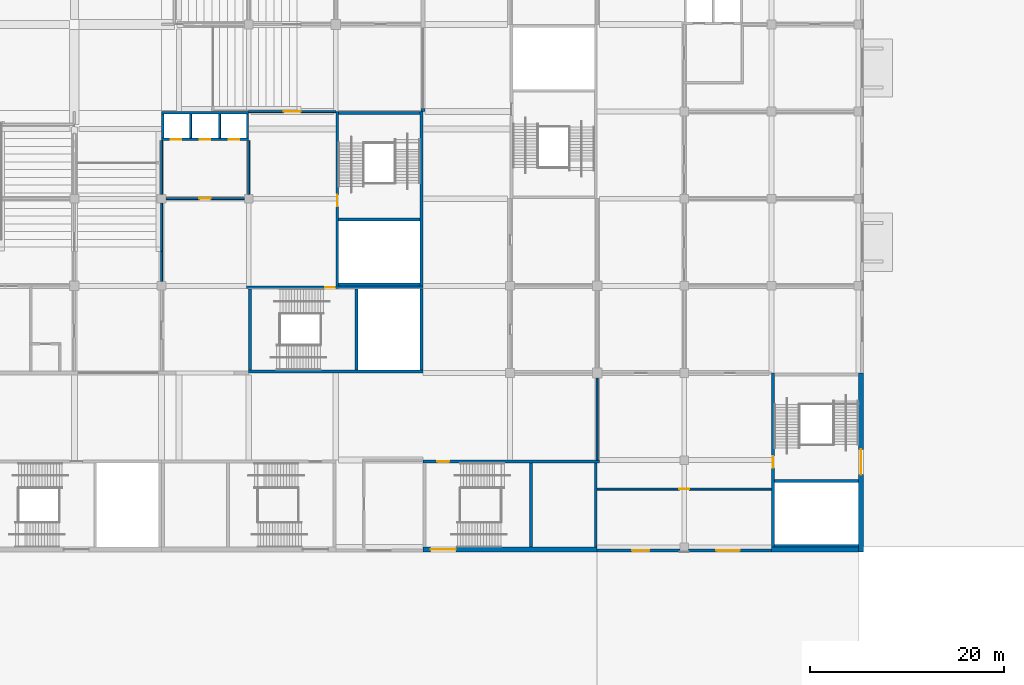
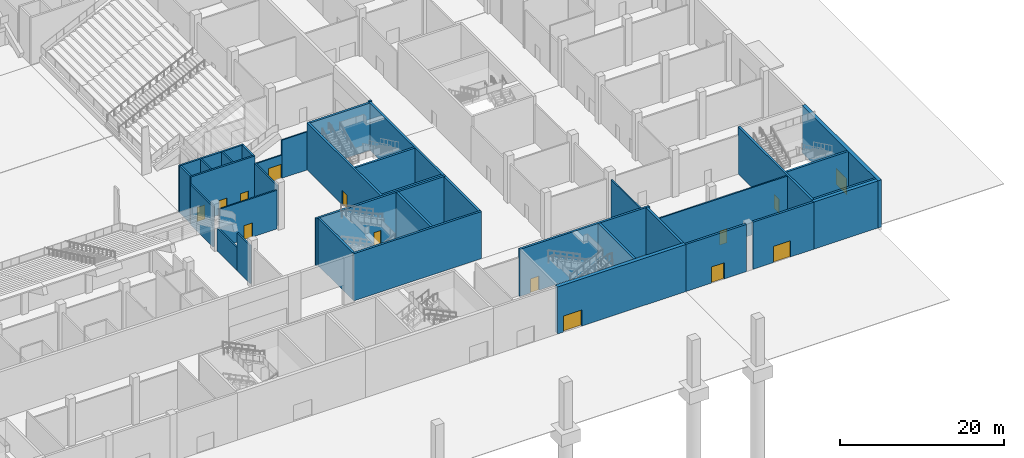
# One storey, part 33 of 92: 37 walls, 14 doors, 14 openings.
"""IFC4 building model written with IfcOpenShell, lengths in metres."""

from ifc_helpers import new_model, si_unit, direction, frame, frame_2d, origin, place, context, subcontext, project, spatial, rectangle, extrude, material, layer, layer_set, type_object, element, fill, save


model = new_model("IFC4")

# Units and contexts
model_context = context("Model", 3, precision=1e-05, world=origin(), true_north=direction((0.0, 1.0)))
body_context = subcontext(model_context, "Body", "Model", "MODEL_VIEW")
ifc_project = project(units=[si_unit("LENGTHUNIT", "METRE"), si_unit("AREAUNIT", "SQUARE_METRE"), si_unit("VOLUMEUNIT", "CUBIC_METRE"), si_unit("PLANEANGLEUNIT", "RADIAN"), si_unit("MASSUNIT", "GRAM", prefix="KILO")], contexts=[model_context])

# Site, building, storey
site_placement = place(None, origin())
site = spatial("IfcSite", under=ifc_project, at=site_placement, CompositionType="ELEMENT")
building_placement = place(site_placement, origin())
building = spatial("IfcBuilding", under=site, at=building_placement, Name="Silverbay Arena", CompositionType="ELEMENT")
storey_placement = place(building_placement, origin())
storey = spatial("IfcBuildingStorey", under=building, at=storey_placement, Name="L00", CompositionType="ELEMENT", Elevation=0.0)

# Wall, opening, door
ifc_material_1 = material(Name="Concrete Grade C45 precast, board-marked finish", Category="concrete")
ifc_layer_1 = layer(ifc_material_1, 0.300048828125)
ifc_layer_set_1 = layer_set([ifc_layer_1], Name="Concrete Grade C45 precast, board-marked finish")
wall_type_1 = type_object("IfcWallType", Name="Board-marked precast wall 300", PredefinedType="SOLIDWALL", material=ifc_layer_set_1)
wall_1_placement = place(storey_placement, frame((207.0, 17.64990234375, 0.0), z_axis=(0.0, 0.0, 1.0), x_axis=(1.0, 0.0, 0.0)))
wall_1 = element("IfcWall", 1, at=wall_1_placement, inside=storey, type_object=wall_type_1, Name="South external wall L00 bay 21", PredefinedType="SOLIDWALL", context=body_context, shape_type="SweptSolid", body=[
    extrude(rectangle(XDim=8.550048828125, YDim=0.300048828125, at=frame_2d((4.27490234375, 0.0))), origin(), (0.0, 0.0, 1.0), 7.0),
])
opening_1_placement = place(wall_1_placement, frame((3.60009765625, 0.0, 0.0)))
opening_1 = element("IfcOpeningElement", 2, at=opening_1_placement, cuts=wall_1, Name="Opening L00-117", PredefinedType="OPENING", context=body_context, shape_type="SweptSolid", body=[
    extrude(rectangle(XDim=1.800048828125, YDim=2.39990234375, at=frame_2d((0.89990234375, 1.199951171875))), frame((0.0, 0.16015625, 0.0), z_axis=(0.0, -1.0, 0.0), x_axis=(1.0, 0.0, 0.0)), (0.0, 0.0, 1.0), 0.320068359375),
])
ifc_material_2 = material(Name="Steel", Category="steel")
door_type_1 = type_object("IfcDoorType", Name="Service exit door 1800 x 2400", OperationType="DOUBLE_DOOR_SINGLE_SWING", PredefinedType="DOOR", material=ifc_material_2)
door_1_placement = place(opening_1_placement, frame((1.800048828125, 0.0, 0.0), z_axis=(0.0, 0.0, 1.0), x_axis=(-1.0, 0.0, 0.0)))
door_1 = element("IfcDoor", 3, at=door_1_placement, inside=storey, type_object=door_type_1, Name="Final exit F1", OperationType="DOUBLE_DOOR_SINGLE_SWING", OverallHeight=2.39990234375, OverallWidth=1.800048828125, PredefinedType="DOOR", context=body_context, shape_type="SweptSolid", body=[
    extrude(rectangle(XDim=1.800048828125, YDim=2.39990234375, at=frame_2d((0.89990234375, 1.199951171875))), frame((0.0, 0.02490234375, 0.0), z_axis=(0.0, -1.0, 0.0), x_axis=(1.0, 0.0, 0.0)), (0.0, 0.0, 1.0), 0.050048828125),
])
fill(opening_1, door_1)

wall_2_placement = place(storey_placement, frame((216.449951171875, 17.64990234375, 0.0), z_axis=(0.0, 0.0, 1.0), x_axis=(1.0, 0.0, 0.0)))
wall_2 = element("IfcWall", 4, at=wall_2_placement, inside=storey, type_object=wall_type_1, Name="South external wall L00 bay 22", PredefinedType="SOLIDWALL", context=body_context, shape_type="SweptSolid", body=[
    extrude(rectangle(XDim=8.550048828125, YDim=0.300048828125, at=frame_2d((4.27490234375, 0.0))), origin(), (0.0, 0.0, 1.0), 7.0),
])
opening_2_placement = place(wall_2_placement, frame((2.85009765625, 0.0, 0.0)))
opening_2 = element("IfcOpeningElement", 5, at=opening_2_placement, cuts=wall_2, Name="Opening L00-118", PredefinedType="OPENING", context=body_context, shape_type="SweptSolid", body=[
    extrude(rectangle(XDim=2.39990234375, YDim=2.39990234375, at=frame_2d((1.199951171875, 1.199951171875))), frame((0.0, 0.16015625, 0.0), z_axis=(0.0, -1.0, 0.0), x_axis=(1.0, 0.0, 0.0)), (0.0, 0.0, 1.0), 0.320068359375),
])
ifc_material_3 = material(Name="Steel", Category="steel")
door_type_2 = type_object("IfcDoorType", Name="Exit gate door 2400 x 2400", OperationType="DOUBLE_DOOR_SINGLE_SWING", PredefinedType="DOOR", material=ifc_material_3)
door_2_placement = place(opening_2_placement, frame((2.39990234375, 0.0, 0.0), z_axis=(0.0, 0.0, 1.0), x_axis=(-1.0, 0.0, 0.0)))
door_2 = element("IfcDoor", 6, at=door_2_placement, inside=storey, type_object=door_type_2, Name="Pedestrian exit gate G8", OperationType="DOUBLE_DOOR_SINGLE_SWING", OverallHeight=2.39990234375, OverallWidth=2.39990234375, PredefinedType="DOOR", context=body_context, shape_type="SweptSolid", body=[
    extrude(rectangle(XDim=2.39990234375, YDim=2.39990234375, at=frame_2d((1.199951171875, 1.199951171875))), frame((0.0, 0.02490234375, 0.0), z_axis=(0.0, -1.0, 0.0), x_axis=(1.0, 0.0, 0.0)), (0.0, 0.0, 1.0), 0.050048828125),
])
fill(opening_2, door_2)

ifc_material_4 = material(Name="Concrete Grade C45", Category="concrete")
ifc_layer_2 = layer(ifc_material_4, 0.300048828125)
ifc_layer_set_2 = layer_set([ifc_layer_2], Name="Concrete Grade C45")
wall_type_2 = type_object("IfcWallType", Name="Core wall RC 300 EI 120", PredefinedType="SHEAR", material=ifc_layer_set_2)
wall_3_placement = place(storey_placement, frame((189.0, 26.85009765625, 0.0), z_axis=(0.0, 0.0, 1.0), x_axis=(1.0, 0.0, 0.0)))
wall_3 = element("IfcWall", 7, at=wall_3_placement, inside=storey, type_object=wall_type_2, Name="Core wall ST-S6 L00 door side", PredefinedType="SHEAR", context=body_context, shape_type="SweptSolid", body=[
    extrude(rectangle(XDim=18.25, YDim=0.300048828125, at=frame_2d((9.125, 0.0))), origin(), (0.0, 0.0, 1.0), 7.0),
])
opening_3_placement = place(wall_3_placement, frame((1.5, 0.0, 0.0)))
opening_3 = element("IfcOpeningElement", 8, at=opening_3_placement, cuts=wall_3, Name="Opening L00-176", PredefinedType="OPENING", context=body_context, shape_type="SweptSolid", body=[
    extrude(rectangle(XDim=1.199951171875, YDim=2.10009765625, at=frame_2d((0.60009765625, 1.050048828125))), frame((0.0, 0.16015625, 0.0), z_axis=(0.0, -1.0, 0.0), x_axis=(1.0, 0.0, 0.0)), (0.0, 0.0, 1.0), 0.320068359375),
])
ifc_material_5 = material(Name="Steel fire door", Category="steel")
door_type_3 = type_object("IfcDoorType", Name="Stair door 1200 x 2100 fire door", OperationType="SINGLE_SWING_LEFT", PredefinedType="DOOR", material=ifc_material_5)
door_3_placement = place(opening_3_placement, frame((1.199951171875, 0.0, 0.0), z_axis=(0.0, 0.0, 1.0), x_axis=(-1.0, 0.0, 0.0)))
door_3 = element("IfcDoor", 9, at=door_3_placement, inside=storey, type_object=door_type_3, Name="Stair door ST-S6 L00", OperationType="SINGLE_SWING_RIGHT", OverallHeight=2.10009765625, OverallWidth=1.199951171875, PredefinedType="DOOR", context=body_context, shape_type="SweptSolid", body=[
    extrude(rectangle(XDim=1.199951171875, YDim=2.10009765625, at=frame_2d((0.60009765625, 1.050048828125))), frame((0.0, 0.02490234375, 0.0), z_axis=(0.0, -1.0, 0.0), x_axis=(1.0, 0.0, 0.0)), (0.0, 0.0, 1.0), 0.050048828125),
])
fill(opening_3, door_3)

# Walls
for number, where, z_axis, x_axis, name in (
    (10, (206.85009765625, 26.699951171875, 0.0), (0.0, 0.0, 1.0), (0.0, -1.0, 0.0), "Core wall ST-S6 L00 end 2"),
    (11, (200.14990234375, 26.699951171875, 0.0), (0.0, 0.0, 1.0), (0.0, -1.0, 0.0), "Core wall ST-S6 L00 stair enclosure"),
):
    element("IfcWall", number, at=place(storey_placement, frame(where, z_axis=z_axis, x_axis=x_axis)), inside=storey, type_object=wall_type_2, Name=name, PredefinedType="SHEAR", context=body_context, shape_type="SweptSolid", body=[
        extrude(rectangle(XDim=8.699951171875, YDim=0.300048828125, at=frame_2d((4.35009765625, 0.0))), origin(), (0.0, 0.0, 1.0), 7.0),
    ])

# Wall, opening, door
wall_4_placement = place(storey_placement, frame((170.75, 44.85009765625, 0.0), z_axis=(0.0, 0.0, 1.0), x_axis=(1.0, 0.0, 0.0)))
wall_4 = element("IfcWall", 12, at=wall_4_placement, inside=storey, type_object=wall_type_2, Name="Core wall ST-SE1 L00 door side", PredefinedType="SHEAR", context=body_context, shape_type="SweptSolid", body=[
    extrude(rectangle(XDim=18.25, YDim=0.300048828125, at=frame_2d((9.125, 0.0))), origin(), (0.0, 0.0, 1.0), 7.0),
])
opening_4_placement = place(wall_4_placement, frame((8.14990234375, 0.0, 0.0)))
opening_4 = element("IfcOpeningElement", 13, at=opening_4_placement, cuts=wall_4, Name="Opening L00-188", PredefinedType="OPENING", context=body_context, shape_type="SweptSolid", body=[
    extrude(rectangle(XDim=1.0, YDim=2.10009765625, at=frame_2d((0.5, 1.050048828125))), frame((0.0, 0.16015625, 0.0), z_axis=(0.0, -1.0, 0.0), x_axis=(1.0, 0.0, 0.0)), (0.0, 0.0, 1.0), 0.320068359375),
])
ifc_material_6 = material(Name="Steel fire door", Category="steel")
door_type_4 = type_object("IfcDoorType", Name="Stair door 1000 x 2100 fire door", OperationType="SINGLE_SWING_LEFT", PredefinedType="DOOR", material=ifc_material_6)
door_4_placement = place(opening_4_placement, frame((1.0, 0.0, 0.0), z_axis=(0.0, 0.0, 1.0), x_axis=(-1.0, 0.0, 0.0)))
door_4 = element("IfcDoor", 14, at=door_4_placement, inside=storey, type_object=door_type_4, Name="Stair door ST-SE1 L00", OperationType="SINGLE_SWING_RIGHT", OverallHeight=2.10009765625, OverallWidth=1.0, PredefinedType="DOOR", context=body_context, shape_type="SweptSolid", body=[
    extrude(rectangle(XDim=1.0, YDim=2.10009765625, at=frame_2d((0.5, 1.050048828125))), frame((0.0, 0.02490234375, 0.0), z_axis=(0.0, -1.0, 0.0), x_axis=(1.0, 0.0, 0.0)), (0.0, 0.0, 1.0), 0.050048828125),
])
fill(opening_4, door_4)

# Walls
wall_5_placement = place(storey_placement, frame((171.0, 36.14990234375, 0.0), z_axis=(0.0, 0.0, 1.0), x_axis=(1.0, 0.0, 0.0)))
element("IfcWall", 15, at=wall_5_placement, inside=storey, type_object=wall_type_2, Name="Core wall ST-SE1 L00 far side", PredefinedType="SHEAR", context=body_context, shape_type="SweptSolid", body=[
    extrude(rectangle(XDim=18.0, YDim=0.300048828125, at=frame_2d((9.0, 0.0))), origin(), (0.0, 0.0, 1.0), 7.0),
])
for number, where, z_axis, x_axis, name in (
    (16, (171.14990234375, 44.699951171875, 0.0), (0.0, 0.0, 1.0), (0.0, -1.0, 0.0), "Core wall ST-SE1 L00 end 1"),
    (17, (188.85009765625, 44.699951171875, 0.0), (0.0, 0.0, 1.0), (0.0, -1.0, 0.0), "Core wall ST-SE1 L00 end 2"),
    (18, (182.14990234375, 44.699951171875, 0.0), (0.0, 0.0, 1.0), (0.0, -1.0, 0.0), "Core wall ST-SE1 L00 stair enclosure"),
):
    element("IfcWall", number, at=place(storey_placement, frame(where, z_axis=z_axis, x_axis=x_axis)), inside=storey, type_object=wall_type_2, Name=name, PredefinedType="SHEAR", context=body_context, shape_type="SweptSolid", body=[
        extrude(rectangle(XDim=8.39990234375, YDim=0.300048828125, at=frame_2d((4.199951171875, 0.0))), origin(), (0.0, 0.0, 1.0), 7.0),
    ])

# Wall, opening, door
wall_6_placement = place(storey_placement, frame((180.14990234375, 63.0, 0.0), z_axis=(0.0, 0.0, 1.0), x_axis=(0.0, -1.0, 0.0)))
wall_6 = element("IfcWall", 19, at=wall_6_placement, inside=storey, type_object=wall_type_2, Name="Core wall ST-SE2 L00 door side", PredefinedType="SHEAR", context=body_context, shape_type="SweptSolid", body=[
    extrude(rectangle(XDim=18.0, YDim=0.300048828125, at=frame_2d((9.0, 0.0))), origin(), (0.0, 0.0, 1.0), 7.0),
])
opening_5_placement = place(wall_6_placement, frame((8.60009765625, 0.0, 0.0)))
opening_5 = element("IfcOpeningElement", 20, at=opening_5_placement, cuts=wall_6, Name="Opening L00-189", PredefinedType="OPENING", context=body_context, shape_type="SweptSolid", body=[
    extrude(rectangle(XDim=1.199951171875, YDim=2.10009765625, at=frame_2d((0.60009765625, 1.050048828125))), frame((0.0, 0.16015625, 0.0), z_axis=(0.0, -1.0, 0.0), x_axis=(1.0, 0.0, 0.0)), (0.0, 0.0, 1.0), 0.320068359375),
])
door_5_placement = place(opening_5_placement, origin())
door_5 = element("IfcDoor", 21, at=door_5_placement, inside=storey, type_object=door_type_3, Name="Stair door ST-SE2 L00", OperationType="SINGLE_SWING_RIGHT", OverallHeight=2.10009765625, OverallWidth=1.199951171875, PredefinedType="DOOR", context=body_context, shape_type="SweptSolid", body=[
    extrude(rectangle(XDim=1.199951171875, YDim=2.10009765625, at=frame_2d((0.60009765625, 1.050048828125))), frame((0.0, 0.02490234375, 0.0), z_axis=(0.0, -1.0, 0.0), x_axis=(1.0, 0.0, 0.0)), (0.0, 0.0, 1.0), 0.050048828125),
])
fill(opening_5, door_5)

# Walls
wall_7_placement = place(storey_placement, frame((188.85009765625, 63.0, 0.0), z_axis=(0.0, 0.0, 1.0), x_axis=(0.0, -1.0, 0.0)))
element("IfcWall", 22, at=wall_7_placement, inside=storey, type_object=wall_type_2, Name="Core wall ST-SE2 L00 far side", PredefinedType="SHEAR", context=body_context, shape_type="SweptSolid", body=[
    extrude(rectangle(XDim=18.0, YDim=0.300048828125, at=frame_2d((9.0, 0.0))), origin(), (0.0, 0.0, 1.0), 7.0),
])
for number, where, z_axis, x_axis, name in (
    (23, (180.300048828125, 62.85009765625, 0.0), (0.0, 0.0, 1.0), (1.0, 0.0, 0.0), "Core wall ST-SE2 L00 end 1"),
    (24, (180.300048828125, 45.14990234375, 0.0), (0.0, 0.0, 1.0), (1.0, 0.0, 0.0), "Core wall ST-SE2 L00 end 2"),
    (25, (180.300048828125, 51.85009765625, 0.0), (0.0, 0.0, 1.0), (1.0, 0.0, 0.0), "Core wall ST-SE2 L00 stair enclosure"),
):
    element("IfcWall", number, at=place(storey_placement, frame(where, z_axis=z_axis, x_axis=x_axis)), inside=storey, type_object=wall_type_2, Name=name, PredefinedType="SHEAR", context=body_context, shape_type="SweptSolid", body=[
        extrude(rectangle(XDim=8.39990234375, YDim=0.300048828125, at=frame_2d((4.199951171875, 0.0))), origin(), (0.0, 0.0, 1.0), 7.0),
    ])

# Wall, opening, door
wall_8_placement = place(storey_placement, frame((225.14990234375, 36.0, 0.0), z_axis=(0.0, 0.0, 1.0), x_axis=(0.0, -1.0, 0.0)))
wall_8 = element("IfcWall", 26, at=wall_8_placement, inside=storey, type_object=wall_type_2, Name="Core wall ST-EG1 L00 door side", PredefinedType="SHEAR", context=body_context, shape_type="SweptSolid", body=[
    extrude(rectangle(XDim=18.0, YDim=0.300048828125, at=frame_2d((9.0, 0.0))), origin(), (0.0, 0.0, 1.0), 7.0),
])
opening_6_placement = place(wall_8_placement, frame((8.60009765625, 0.0, 0.0)))
opening_6 = element("IfcOpeningElement", 27, at=opening_6_placement, cuts=wall_8, Name="Opening L00-198", PredefinedType="OPENING", context=body_context, shape_type="SweptSolid", body=[
    extrude(rectangle(XDim=1.199951171875, YDim=2.10009765625, at=frame_2d((0.60009765625, 1.050048828125))), frame((0.0, 0.16015625, 0.0), z_axis=(0.0, -1.0, 0.0), x_axis=(1.0, 0.0, 0.0)), (0.0, 0.0, 1.0), 0.320068359375),
])
door_6_placement = place(opening_6_placement, origin())
door_6 = element("IfcDoor", 28, at=door_6_placement, inside=storey, type_object=door_type_3, Name="Stair door ST-EG1 L00", OperationType="SINGLE_SWING_RIGHT", OverallHeight=2.10009765625, OverallWidth=1.199951171875, PredefinedType="DOOR", context=body_context, shape_type="SweptSolid", body=[
    extrude(rectangle(XDim=1.199951171875, YDim=2.10009765625, at=frame_2d((0.60009765625, 1.050048828125))), frame((0.0, 0.02490234375, 0.0), z_axis=(0.0, -1.0, 0.0), x_axis=(1.0, 0.0, 0.0)), (0.0, 0.0, 1.0), 0.050048828125),
])
fill(opening_6, door_6)

# Walls
for number, where, z_axis, x_axis, name in (
    (29, (225.300048828125, 18.14990234375, 0.0), (0.0, 0.0, 1.0), (1.0, 0.0, 0.0), "Core wall ST-EG1 L00 end 2"),
    (30, (225.300048828125, 24.85009765625, 0.0), (0.0, 0.0, 1.0), (1.0, 0.0, 0.0), "Core wall ST-EG1 L00 stair enclosure"),
):
    element("IfcWall", number, at=place(storey_placement, frame(where, z_axis=z_axis, x_axis=x_axis)), inside=storey, type_object=wall_type_2, Name=name, PredefinedType="SHEAR", context=body_context, shape_type="SweptSolid", body=[
        extrude(rectangle(XDim=8.699951171875, YDim=0.300048828125, at=frame_2d((4.35009765625, 0.0))), origin(), (0.0, 0.0, 1.0), 7.0),
    ])

# Wall, opening, door
ifc_material_7 = material(Name="Concrete Grade C45", Category="concrete")
ifc_layer_3 = layer(ifc_material_7, 0.5)
ifc_layer_set_3 = layer_set([ifc_layer_3], Name="Concrete Grade C45")
wall_type_3 = type_object("IfcWallType", Name="Core wall RC 500 external EI 120", PredefinedType="SHEAR", material=ifc_layer_set_3)
wall_9_placement = place(storey_placement, frame((189.0, 17.75, 0.0), z_axis=(0.0, 0.0, 1.0), x_axis=(1.0, 0.0, 0.0)))
wall_9 = element("IfcWall", 31, at=wall_9_placement, inside=storey, type_object=wall_type_3, Name="Core wall ST-S6 L00 facade side", PredefinedType="SHEAR", context=body_context, shape_type="SweptSolid", body=[
    extrude(rectangle(XDim=18.0, YDim=0.5, at=frame_2d((9.0, 0.0))), origin(), (0.0, 0.0, 1.0), 7.0),
])
opening_7_placement = place(wall_9_placement, frame((0.800048828125, 0.0, 0.0)))
opening_7 = element("IfcOpeningElement", 32, at=opening_7_placement, cuts=wall_9, Name="Opening L00-177", PredefinedType="OPENING", context=body_context, shape_type="SweptSolid", body=[
    extrude(rectangle(XDim=2.60009765625, YDim=2.39990234375, at=frame_2d((1.300048828125, 1.199951171875))), frame((0.0, 0.260009765625, 0.0), z_axis=(0.0, -1.0, 0.0), x_axis=(1.0, 0.0, 0.0)), (0.0, 0.0, 1.0), 0.52001953125),
])
ifc_material_8 = material(Name="Steel and glass", Category="steel")
door_type_5 = type_object("IfcDoorType", Name="Exit door double leaf 2600 x 2400", OperationType="DOUBLE_DOOR_SINGLE_SWING", PredefinedType="DOOR", material=ifc_material_8)
door_7_placement = place(opening_7_placement, frame((2.60009765625, 0.0, 0.0), z_axis=(0.0, 0.0, 1.0), x_axis=(-1.0, 0.0, 0.0)))
door_7 = element("IfcDoor", 33, at=door_7_placement, inside=storey, type_object=door_type_5, Name="Pedestrian exit gate G74", OperationType="DOUBLE_DOOR_SINGLE_SWING", OverallHeight=2.39990234375, OverallWidth=2.60009765625, PredefinedType="DOOR", context=body_context, shape_type="SweptSolid", body=[
    extrude(rectangle(XDim=2.60009765625, YDim=2.39990234375, at=frame_2d((1.300048828125, 1.199951171875))), frame((0.0, 0.02490234375, 0.0), z_axis=(0.0, -1.0, 0.0), x_axis=(1.0, 0.0, 0.0)), (0.0, 0.0, 1.0), 0.050048828125),
])
fill(opening_7, door_7)

wall_10_placement = place(storey_placement, frame((234.25, 36.0, 0.0), z_axis=(0.0, 0.0, 1.0), x_axis=(0.0, -1.0, 0.0)))
wall_10 = element("IfcWall", 34, at=wall_10_placement, inside=storey, type_object=wall_type_3, Name="Core wall ST-EG1 L00 facade side", PredefinedType="SHEAR", context=body_context, shape_type="SweptSolid", body=[
    extrude(rectangle(XDim=18.5, YDim=0.5, at=frame_2d((9.25, 0.0))), origin(), (0.0, 0.0, 1.0), 7.0),
])
opening_8_placement = place(wall_10_placement, frame((7.89990234375, 0.0, 0.0)))
opening_8 = element("IfcOpeningElement", 35, at=opening_8_placement, cuts=wall_10, Name="Opening L00-199", PredefinedType="OPENING", context=body_context, shape_type="SweptSolid", body=[
    extrude(rectangle(XDim=2.60009765625, YDim=2.39990234375, at=frame_2d((1.300048828125, 1.199951171875))), frame((0.0, 0.260009765625, 0.0), z_axis=(0.0, -1.0, 0.0), x_axis=(1.0, 0.0, 0.0)), (0.0, 0.0, 1.0), 0.52001953125),
])
door_8_placement = place(opening_8_placement, origin())
door_8 = element("IfcDoor", 36, at=door_8_placement, inside=storey, type_object=door_type_5, Name="Pedestrian exit gate G71", OperationType="DOUBLE_DOOR_SINGLE_SWING", OverallHeight=2.39990234375, OverallWidth=2.60009765625, PredefinedType="DOOR", context=body_context, shape_type="SweptSolid", body=[
    extrude(rectangle(XDim=2.60009765625, YDim=2.39990234375, at=frame_2d((1.300048828125, 1.199951171875))), frame((0.0, 0.02490234375, 0.0), z_axis=(0.0, -1.0, 0.0), x_axis=(1.0, 0.0, 0.0)), (0.0, 0.0, 1.0), 0.050048828125),
])
fill(opening_8, door_8)

# Walls
ifc_material_9 = material(Name="Concrete Grade C45", Category="concrete")
ifc_layer_4 = layer(ifc_material_9, 0.199951171875)
ifc_layer_set_4 = layer_set([ifc_layer_4], Name="Concrete Grade C45")
wall_type_4 = type_object("IfcWallType", Name="Lift shaft divider RC 200 EI 120", PredefinedType="SHEAR", material=ifc_layer_set_4)
for number, where, z_axis, x_axis, name in (
    (37, (165.0, 60.25, 0.0), (0.0, 0.0, 1.0), (0.0, 1.0, 0.0), "Lift shaft divider LB-SE L00 1"),
    (38, (168.0, 60.25, 0.0), (0.0, 0.0, 1.0), (0.0, 1.0, 0.0), "Lift shaft divider LB-SE L00 2"),
):
    element("IfcWall", number, at=place(storey_placement, frame(where, z_axis=z_axis, x_axis=x_axis)), inside=storey, type_object=wall_type_4, Name=name, PredefinedType="SHEAR", context=body_context, shape_type="SweptSolid", body=[
        extrude(rectangle(XDim=2.5, YDim=0.199951171875, at=frame_2d((1.25, 0.0))), origin(), (0.0, 0.0, 1.0), 7.0),
    ])

# Wall, openings, doors
ifc_material_10 = material(Name="Concrete Grade C45", Category="concrete")
ifc_layer_5 = layer(ifc_material_10, 0.25)
ifc_layer_set_5 = layer_set([ifc_layer_5], Name="Concrete Grade C45")
wall_type_5 = type_object("IfcWallType", Name="Lift shaft wall RC 250 EI 120", PredefinedType="SHEAR", material=ifc_layer_set_5)
wall_11_placement = place(storey_placement, frame((162.0, 60.125, 0.0), z_axis=(0.0, 0.0, 1.0), x_axis=(1.0, 0.0, 0.0)))
wall_11 = element("IfcWall", 39, at=wall_11_placement, inside=storey, type_object=wall_type_5, Name="Lift shaft wall LB-SE L00 landing side", PredefinedType="SHEAR", context=body_context, shape_type="SweptSolid", body=[
    extrude(rectangle(XDim=9.0, YDim=0.25, at=frame_2d((4.5, 0.0))), origin(), (0.0, 0.0, 1.0), 7.0),
])
opening_9_placement = place(wall_11_placement, frame((0.949951171875, 0.0, 0.0)))
opening_9 = element("IfcOpeningElement", 40, at=opening_9_placement, cuts=wall_11, Name="Opening L00-205", PredefinedType="OPENING", context=body_context, shape_type="SweptSolid", body=[
    extrude(rectangle(XDim=1.10009765625, YDim=2.10009765625, at=frame_2d((0.550048828125, 1.050048828125))), frame((0.0, 0.135009765625, 0.0), z_axis=(0.0, -1.0, 0.0), x_axis=(1.0, 0.0, 0.0)), (0.0, 0.0, 1.0), 0.27001953125),
])
opening_10_placement = place(wall_11_placement, frame((3.949951171875, 0.0, 0.0)))
opening_10 = element("IfcOpeningElement", 41, at=opening_10_placement, cuts=wall_11, Name="Opening L00-206", PredefinedType="OPENING", context=body_context, shape_type="SweptSolid", body=[
    extrude(rectangle(XDim=1.10009765625, YDim=2.10009765625, at=frame_2d((0.550048828125, 1.050048828125))), frame((0.0, 0.135009765625, 0.0), z_axis=(0.0, -1.0, 0.0), x_axis=(1.0, 0.0, 0.0)), (0.0, 0.0, 1.0), 0.27001953125),
])
opening_11_placement = place(wall_11_placement, frame((6.949951171875, 0.0, 0.0)))
opening_11 = element("IfcOpeningElement", 42, at=opening_11_placement, cuts=wall_11, Name="Opening L00-207", PredefinedType="OPENING", context=body_context, shape_type="SweptSolid", body=[
    extrude(rectangle(XDim=1.10009765625, YDim=2.10009765625, at=frame_2d((0.550048828125, 1.050048828125))), frame((0.0, 0.135009765625, 0.0), z_axis=(0.0, -1.0, 0.0), x_axis=(1.0, 0.0, 0.0)), (0.0, 0.0, 1.0), 0.27001953125),
])
ifc_material_11 = material(Name="Stainless steel", Category="steel")
door_type_6 = type_object("IfcDoorType", Name="LD1 lift landing door 1100 x 2100", OperationType="DOUBLE_DOOR_SLIDING", PredefinedType="DOOR", material=ifc_material_11)
door_9_placement = place(opening_9_placement, origin())
door_9 = element("IfcDoor", 43, at=door_9_placement, inside=storey, type_object=door_type_6, Name="Lift landing door LF6 L00", OperationType="DOUBLE_DOOR_SLIDING", OverallHeight=2.10009765625, OverallWidth=1.10009765625, PredefinedType="DOOR", context=body_context, shape_type="SweptSolid", body=[
    extrude(rectangle(XDim=1.10009765625, YDim=2.10009765625, at=frame_2d((0.550048828125, 1.050048828125))), frame((0.0, 0.02490234375, 0.0), z_axis=(0.0, -1.0, 0.0), x_axis=(1.0, 0.0, 0.0)), (0.0, 0.0, 1.0), 0.050048828125),
])
fill(opening_9, door_9)
door_10_placement = place(opening_10_placement, origin())
door_10 = element("IfcDoor", 44, at=door_10_placement, inside=storey, type_object=door_type_6, Name="Lift landing door LF7 L00", OperationType="DOUBLE_DOOR_SLIDING", OverallHeight=2.10009765625, OverallWidth=1.10009765625, PredefinedType="DOOR", context=body_context, shape_type="SweptSolid", body=[
    extrude(rectangle(XDim=1.10009765625, YDim=2.10009765625, at=frame_2d((0.550048828125, 1.050048828125))), frame((0.0, 0.02490234375, 0.0), z_axis=(0.0, -1.0, 0.0), x_axis=(1.0, 0.0, 0.0)), (0.0, 0.0, 1.0), 0.050048828125),
])
fill(opening_10, door_10)
door_11_placement = place(opening_11_placement, origin())
door_11 = element("IfcDoor", 45, at=door_11_placement, inside=storey, type_object=door_type_6, Name="Lift landing door LF8 L00", OperationType="DOUBLE_DOOR_SLIDING", OverallHeight=2.10009765625, OverallWidth=1.10009765625, PredefinedType="DOOR", context=body_context, shape_type="SweptSolid", body=[
    extrude(rectangle(XDim=1.10009765625, YDim=2.10009765625, at=frame_2d((0.550048828125, 1.050048828125))), frame((0.0, 0.02490234375, 0.0), z_axis=(0.0, -1.0, 0.0), x_axis=(1.0, 0.0, 0.0)), (0.0, 0.0, 1.0), 0.050048828125),
])
fill(opening_11, door_11)

# Walls
wall_12_placement = place(storey_placement, frame((162.0, 62.875, 0.0), z_axis=(0.0, 0.0, 1.0), x_axis=(1.0, 0.0, 0.0)))
element("IfcWall", 46, at=wall_12_placement, inside=storey, type_object=wall_type_5, Name="Lift shaft wall LB-SE L00 back", PredefinedType="SHEAR", context=body_context, shape_type="SweptSolid", body=[
    extrude(rectangle(XDim=9.0, YDim=0.25, at=frame_2d((4.5, 0.0))), origin(), (0.0, 0.0, 1.0), 7.0),
])
for number, where, z_axis, x_axis, name in (
    (47, (162.125, 60.25, 0.0), (0.0, 0.0, 1.0), (0.0, 1.0, 0.0), "Lift shaft wall LB-SE L00 end"),
    (48, (170.875, 60.25, 0.0), (0.0, 0.0, 1.0), (0.0, 1.0, 0.0), "Lift shaft wall LB-SE L00 end"),
):
    element("IfcWall", number, at=place(storey_placement, frame(where, z_axis=z_axis, x_axis=x_axis)), inside=storey, type_object=wall_type_5, Name=name, PredefinedType="SHEAR", context=body_context, shape_type="SweptSolid", body=[
        extrude(rectangle(XDim=2.5, YDim=0.25, at=frame_2d((1.25, 0.0))), origin(), (0.0, 0.0, 1.0), 7.0),
    ])

# Wall, opening, door
ifc_material_12 = material(Name="Masonry blockwork partition", Category="masonry")
ifc_layer_6 = layer(ifc_material_12, 0.199951171875)
ifc_layer_set_6 = layer_set([ifc_layer_6], Name="Masonry blockwork partition")
wall_type_6 = type_object("IfcWallType", Name="Partition 200 EI 120", PredefinedType="PARTITIONING", material=ifc_layer_set_6)
wall_13_placement = place(storey_placement, frame((207.0, 24.0, 0.0), z_axis=(0.0, 0.0, 1.0), x_axis=(1.0, 0.0, 0.0)))
wall_13 = element("IfcWall", 49, at=wall_13_placement, inside=storey, type_object=wall_type_6, Name="Partition wall", PredefinedType="PARTITIONING", context=body_context, shape_type="SweptSolid", body=[
    extrude(rectangle(XDim=18.0, YDim=0.199951171875, at=frame_2d((9.0, 0.0))), origin(), (0.0, 0.0, 1.0), 7.0),
])
opening_12_placement = place(wall_13_placement, frame((8.5, 0.0, 0.0)))
opening_12 = element("IfcOpeningElement", 50, at=opening_12_placement, cuts=wall_13, Name="Opening L00-062", PredefinedType="OPENING", context=body_context, shape_type="SweptSolid", body=[
    extrude(rectangle(XDim=1.0, YDim=2.10009765625, at=frame_2d((0.5, 1.050048828125))), frame((0.0, 0.10986328125, 0.0), z_axis=(0.0, -1.0, 0.0), x_axis=(1.0, 0.0, 0.0)), (0.0, 0.0, 1.0), 0.219970703125),
])
ifc_material_13 = material(Name="Steel faced timber", Category="steel")
door_type_7 = type_object("IfcDoorType", Name="Single leaf door 1000 x 2100 FD120", OperationType="SINGLE_SWING_LEFT", PredefinedType="DOOR", material=ifc_material_13)
door_12_placement = place(opening_12_placement, frame((1.0, 0.0, 0.0), z_axis=(0.0, 0.0, 1.0), x_axis=(-1.0, 0.0, 0.0)))
door_12 = element("IfcDoor", 51, at=door_12_placement, inside=storey, type_object=door_type_7, Name="Door L00-062", OperationType="SINGLE_SWING_LEFT", OverallHeight=2.10009765625, OverallWidth=1.0, PredefinedType="DOOR", context=body_context, shape_type="SweptSolid", body=[
    extrude(rectangle(XDim=1.0, YDim=2.10009765625, at=frame_2d((0.5, 1.050048828125))), frame((0.0, 0.02490234375, 0.0), z_axis=(0.0, -1.0, 0.0), x_axis=(1.0, 0.0, 0.0)), (0.0, 0.0, 1.0), 0.050048828125),
])
fill(opening_12, door_12)

wall_14_placement = place(storey_placement, frame((162.449951171875, 54.0, 0.0), z_axis=(0.0, 0.0, 1.0), x_axis=(1.0, 0.0, 0.0)))
wall_14 = element("IfcWall", 52, at=wall_14_placement, inside=storey, type_object=wall_type_6, Name="Partition wall", PredefinedType="PARTITIONING", context=body_context, shape_type="SweptSolid", body=[
    extrude(rectangle(XDim=8.10009765625, YDim=0.199951171875, at=frame_2d((4.050048828125, 0.0))), origin(), (0.0, 0.0, 1.0), 5.75),
])
opening_13_placement = place(wall_14_placement, frame((3.449951171875, 0.0, 0.0)))
opening_13 = element("IfcOpeningElement", 53, at=opening_13_placement, cuts=wall_14, Name="Opening L00-018", PredefinedType="OPENING", context=body_context, shape_type="SweptSolid", body=[
    extrude(rectangle(XDim=1.199951171875, YDim=2.10009765625, at=frame_2d((0.60009765625, 1.050048828125))), frame((0.0, 0.10986328125, 0.0), z_axis=(0.0, -1.0, 0.0), x_axis=(1.0, 0.0, 0.0)), (0.0, 0.0, 1.0), 0.219970703125),
])
ifc_material_14 = material(Name="Steel faced timber", Category="steel")
door_type_8 = type_object("IfcDoorType", Name="Single leaf door 1200 x 2100 FD60", OperationType="SINGLE_SWING_LEFT", PredefinedType="DOOR", material=ifc_material_14)
door_13_placement = place(opening_13_placement, frame((1.199951171875, 0.0, 0.0), z_axis=(0.0, 0.0, 1.0), x_axis=(-1.0, 0.0, 0.0)))
door_13 = element("IfcDoor", 54, at=door_13_placement, inside=storey, type_object=door_type_8, Name="Door L00-018", OperationType="SINGLE_SWING_LEFT", OverallHeight=2.10009765625, OverallWidth=1.199951171875, PredefinedType="DOOR", context=body_context, shape_type="SweptSolid", body=[
    extrude(rectangle(XDim=1.199951171875, YDim=2.10009765625, at=frame_2d((0.60009765625, 1.050048828125))), frame((0.0, 0.02490234375, 0.0), z_axis=(0.0, -1.0, 0.0), x_axis=(1.0, 0.0, 0.0)), (0.0, 0.0, 1.0), 0.050048828125),
])
fill(opening_13, door_13)

wall_15_placement = place(storey_placement, frame((171.0, 63.0, 0.0), z_axis=(0.0, 0.0, 1.0), x_axis=(1.0, 0.0, 0.0)))
wall_15 = element("IfcWall", 55, at=wall_15_placement, inside=storey, type_object=wall_type_6, Name="Partition wall", PredefinedType="PARTITIONING", context=body_context, shape_type="SweptSolid", body=[
    extrude(rectangle(XDim=5.428955078125, YDim=0.199951171875, at=frame_2d((2.71435546875, 0.0))), origin(), (0.0, 0.0, 1.0), 3.43896484375),
])
opening_14_placement = place(wall_15_placement, frame((3.60009765625, 0.0, 0.0)))
opening_14 = element("IfcOpeningElement", 56, at=opening_14_placement, cuts=wall_15, Name="Opening L00-088", PredefinedType="OPENING", context=body_context, shape_type="SweptSolid", body=[
    extrude(rectangle(XDim=1.800048828125, YDim=2.10009765625, at=frame_2d((0.89990234375, 1.050048828125))), frame((0.0, 0.10986328125, 0.0), z_axis=(0.0, -1.0, 0.0), x_axis=(1.0, 0.0, 0.0)), (0.0, 0.0, 1.0), 0.219970703125),
])
ifc_material_15 = material(Name="Steel faced timber", Category="steel")
door_type_9 = type_object("IfcDoorType", Name="Double leaf door 1800 x 2100 FD120", OperationType="DOUBLE_DOOR_DOUBLE_SWING", PredefinedType="DOOR", material=ifc_material_15)
door_14_placement = place(opening_14_placement, frame((1.800048828125, 0.0, 0.0), z_axis=(0.0, 0.0, 1.0), x_axis=(-1.0, 0.0, 0.0)))
door_14 = element("IfcDoor", 57, at=door_14_placement, inside=storey, type_object=door_type_9, Name="Door L00-088", OperationType="DOUBLE_DOOR_DOUBLE_SWING", OverallHeight=2.10009765625, OverallWidth=1.800048828125, PredefinedType="DOOR", context=body_context, shape_type="SweptSolid", body=[
    extrude(rectangle(XDim=1.800048828125, YDim=2.10009765625, at=frame_2d((0.89990234375, 1.050048828125))), frame((0.0, 0.02490234375, 0.0), z_axis=(0.0, -1.0, 0.0), x_axis=(1.0, 0.0, 0.0)), (0.0, 0.0, 1.0), 0.050048828125),
])
fill(opening_14, door_14)

# Walls
wall_16_placement = place(storey_placement, frame((162.0, 48.571044921875, 0.0), z_axis=(0.0, 0.0, 1.0), x_axis=(0.0, 1.0, 0.0)))
element("IfcWall", 58, at=wall_16_placement, inside=storey, type_object=wall_type_6, Name="Partition wall", PredefinedType="PARTITIONING", context=body_context, shape_type="SweptSolid", body=[
    extrude(rectangle(XDim=4.97900390625, YDim=0.199951171875, at=frame_2d((2.489501953125, 0.0))), origin(), (0.0, 0.0, 1.0), 3.43896484375),
])
for number, where, z_axis, x_axis, name in (
    (59, (162.0, 54.449951171875, 0.0), (0.0, 0.0, 1.0), (0.0, 1.0, 0.0), "Partition wall"),
    (60, (171.0, 54.449951171875, 0.0), (0.0, 0.0, 1.0), (0.0, 1.0, 0.0), "Partition wall"),
):
    element("IfcWall", number, at=place(storey_placement, frame(where, z_axis=z_axis, x_axis=x_axis)), inside=storey, type_object=wall_type_6, Name=name, PredefinedType="PARTITIONING", context=body_context, shape_type="SweptSolid", body=[
        extrude(rectangle(XDim=5.550048828125, YDim=0.199951171875, at=frame_2d((2.77490234375, 0.0))), origin(), (0.0, 0.0, 1.0), 5.949951171875),
    ])
wall_17_placement = place(storey_placement, frame((207.0, 27.0, 0.0), z_axis=(0.0, 0.0, 1.0), x_axis=(0.0, 1.0, 0.0)))
element("IfcWall", 61, at=wall_17_placement, inside=storey, type_object=wall_type_6, Name="Partition wall", PredefinedType="PARTITIONING", context=body_context, shape_type="SweptSolid", body=[
    extrude(rectangle(XDim=8.5, YDim=0.199951171875, at=frame_2d((4.25, 0.0))), origin(), (0.0, 0.0, 1.0), 5.75),
])
wall_18_placement = place(storey_placement, frame((176.428955078125, 63.0, 0.0), z_axis=(0.0, 0.0, 1.0), x_axis=(1.0, 0.0, 0.0)))
element("IfcWall", 62, at=wall_18_placement, inside=storey, type_object=wall_type_6, Name="Partition wall", PredefinedType="PARTITIONING", context=body_context, shape_type="SweptSolid", body=[
    extrude(rectangle(XDim=3.571044921875, YDim=0.199951171875, at=frame_2d((1.78564453125, 0.0))), origin(), (0.0, 0.0, 1.0), 5.64990234375),
])
wall_19_placement = place(storey_placement, frame((162.0, 45.449951171875, 0.0), z_axis=(0.0, 0.0, 1.0), x_axis=(0.0, 1.0, 0.0)))
element("IfcWall", 63, at=wall_19_placement, inside=storey, type_object=wall_type_6, Name="Partition wall", PredefinedType="PARTITIONING", context=body_context, shape_type="SweptSolid", body=[
    extrude(rectangle(XDim=3.12109375, YDim=0.199951171875, at=frame_2d((1.560546875, 0.0))), origin(), (0.0, 0.0, 1.0), 5.64990234375),
])
ifc_material_16 = material(Name="Concrete Grade C45", Category="concrete")
ifc_layer_7 = layer(ifc_material_16, 0.39990234375)
ifc_layer_set_7 = layer_set([ifc_layer_7], Name="Concrete Grade C45")
wall_type_7 = type_object("IfcWallType", Name="RC back wall 400 EI 120", PredefinedType="SOLIDWALL", material=ifc_layer_set_7)
wall_20_placement = place(storey_placement, frame((189.0, 63.0, 0.0), z_axis=(0.0, 0.0, 1.0), x_axis=(0.0, 1.0, 0.0)))
element("IfcWall", 64, at=wall_20_placement, inside=storey, type_object=wall_type_7, Name="Bowl back wall L00 06", PredefinedType="SOLIDWALL", context=body_context, shape_type="SweptSolid", body=[
    extrude(rectangle(XDim=0.300048828125, YDim=0.39990234375, at=frame_2d((0.14990234375, 0.0))), origin(), (0.0, 0.0, 1.0), 7.0),
])
ifc_material_17 = material(Name="Concrete Grade C45", Category="concrete")
ifc_layer_8 = layer(ifc_material_17, 0.5)
ifc_layer_set_8 = layer_set([ifc_layer_8], Name="Concrete Grade C45")
wall_type_8 = type_object("IfcWallType", Name="Stair core facade wall 500", PredefinedType="SOLIDWALL", material=ifc_layer_set_8)
wall_21_placement = place(storey_placement, frame((225.0, 17.75, 0.0), z_axis=(0.0, 0.0, 1.0), x_axis=(1.0, 0.0, 0.0)))
element("IfcWall", 65, at=wall_21_placement, inside=storey, type_object=wall_type_8, Name="South stair core facade wall L00 bay 23", PredefinedType="SOLIDWALL", context=body_context, shape_type="SweptSolid", body=[
    extrude(rectangle(XDim=9.0, YDim=0.5, at=frame_2d((4.5, 0.0))), origin(), (0.0, 0.0, 1.0), 7.0),
])

save(model, "model.ifc")
